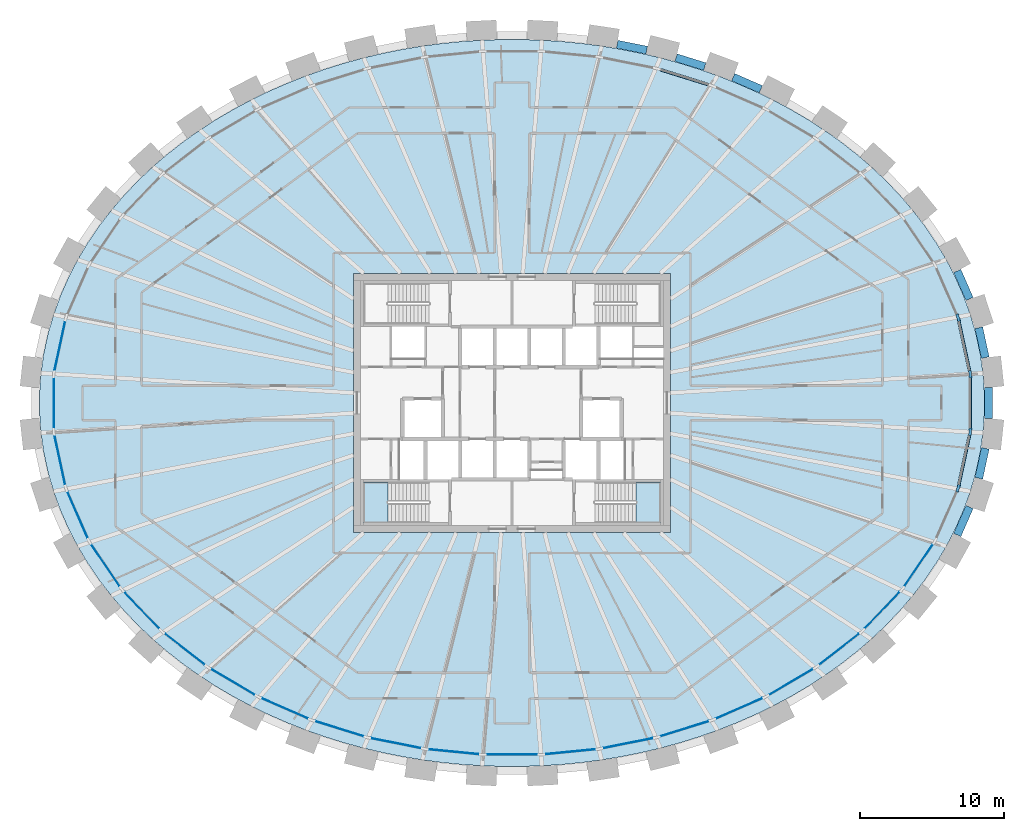
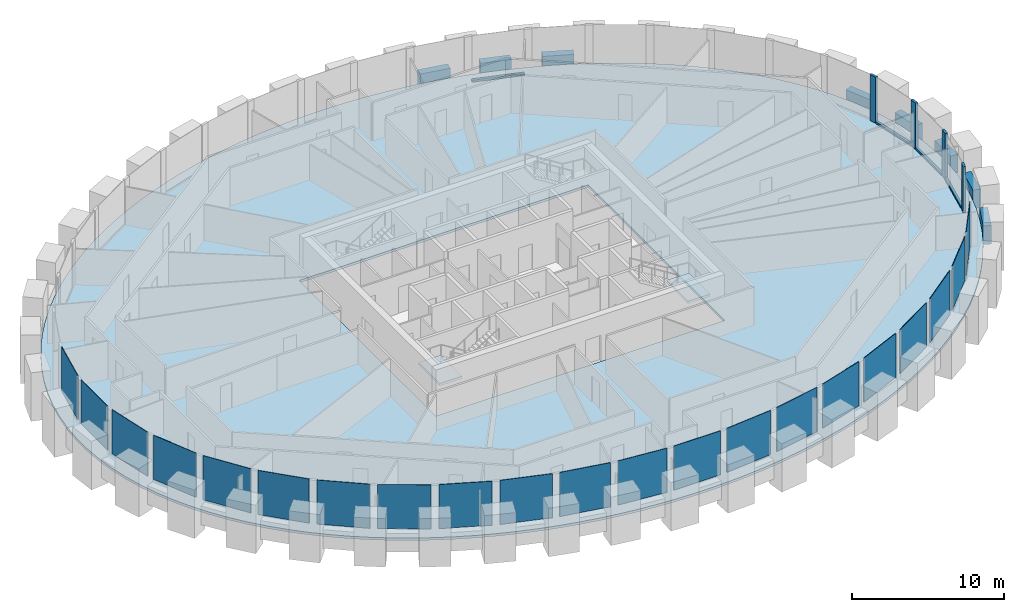
# One storey, part 4 of 12: 21 plates, 8 beams, 8 members, 3 slabs, 3 elements without a shape of their own.
"""IFC4 building model written with IfcOpenShell, lengths in metres."""

from ifc_helpers import new_model, si_unit, direction, frame, origin, origin_2d, place, context, subcontext, project, spatial, polyline, rectangle, outline, extrude, source, transform, mapped, material, layer, layer_set, material_profile, profile_set, type_object, element, aggregate, save


model = new_model("IFC4")

# Units and contexts
model_context = context("Model", 3, precision=1e-05, world=origin(), true_north=direction((0.0, 1.0)))
body_context = subcontext(model_context, "Body", "Model", "MODEL_VIEW")
ifc_project = project(units=[si_unit("LENGTHUNIT", "METRE"), si_unit("AREAUNIT", "SQUARE_METRE"), si_unit("VOLUMEUNIT", "CUBIC_METRE"), si_unit("PLANEANGLEUNIT", "RADIAN"), si_unit("MASSUNIT", "GRAM", prefix="KILO")], contexts=[model_context])

# Site, building, storey
site_placement = place(None, origin())
site = spatial("IfcSite", under=ifc_project, at=site_placement, CompositionType="ELEMENT")
building_placement = place(site_placement, origin())
building = spatial("IfcBuilding", under=site, at=building_placement, Name="Embergate Tower", CompositionType="ELEMENT")
storey_placement = place(building_placement, frame((0.0, 0.0, 253.89990234375)))
storey = spatial("IfcBuildingStorey", under=building, at=storey_placement, Name="L58", CompositionType="ELEMENT", Elevation=253.89990234375)

# Beams
ifc_material_1 = material(Name="Concrete C60", Category="concrete")
ifc_material_profile_1 = material_profile(ifc_material_1, rectangle(XDim=0.550048828125, YDim=1.5, at=origin_2d()), Name="RC 550x1500")
ifc_profile_set_1 = profile_set([ifc_material_profile_1], Name="Concrete C60")
beam_type = type_object("IfcBeamType", Name="Spandrel beam RC 550x1500 C60", PredefinedType="BEAM", material=ifc_profile_set_1)
shared_shape_1 = source(origin(), body_context, "Body", "SweptSolid", [
    extrude(rectangle(XDim=0.550048828125, YDim=1.5, at=origin_2d()), origin(), (0.0, 0.0, 1.0), 2.121337890625),
])
for number, where, z_axis, x_axis, name in (
    (1, (32.845947265625, 3.14892578125, 0.0), (-0.210259959119, 0.977645513257, 0.0), (-0.977645513257, -0.210259959119, 0.0), "SPN-L58-00"),
    (2, (32.39990234375, -5.222900390625, 0.0), (0.210259959119, 0.977645513257, 0.0), (-0.977645513257, 0.210259959119, 0.0), "SPN-L58-42"),
):
    element("IfcBeam", number, at=place(storey_placement, frame(where, z_axis=z_axis, x_axis=x_axis)), inside=storey, type_object=beam_type, Name=name, PredefinedType="BEAM", context=body_context, shape_type="MappedRepresentation", body=[
        mapped(shared_shape_1, transform((0.0, 0.0, 0.0))),
    ])
shared_shape_2 = source(origin(), body_context, "Body", "SweptSolid", [
    extrude(rectangle(XDim=0.550048828125, YDim=1.5, at=origin_2d()), origin(), (0.0, 0.0, 1.0), 2.118408203125),
])
for number, where, z_axis, x_axis, name in (
    (3, (31.75390625, 7.220947265625, 0.0), (-0.401653016285, 0.915791927519, 0.0), (-0.915791927519, -0.401653016285, 0.0), "SPN-L58-01"),
    (4, (30.903076171875, -9.160888671875, 0.0), (0.401653016285, 0.915791927519, 0.0), (-0.915791927519, 0.401653016285, 0.0), "SPN-L58-41"),
):
    element("IfcBeam", number, at=place(storey_placement, frame(where, z_axis=z_axis, x_axis=x_axis)), inside=storey, type_object=beam_type, Name=name, PredefinedType="BEAM", context=body_context, shape_type="MappedRepresentation", body=[
        mapped(shared_shape_2, transform((0.0, 0.0, 0.0))),
    ])
shared_shape_3 = source(origin(), body_context, "Body", "SweptSolid", [
    extrude(rectangle(XDim=0.550048828125, YDim=1.5, at=origin_2d()), origin(), (0.0, 0.0, 1.0), 2.093994140625),
])
beam_1_placement = place(storey_placement, frame((17.26904296875, 21.77587890625, 0.0), z_axis=(-0.916403340616, 0.400256064674, 0.0), x_axis=(-0.400256064674, -0.916403340616, 0.0)))
element("IfcBeam", 5, at=beam_1_placement, inside=storey, type_object=beam_type, Name="SPN-L58-06", PredefinedType="BEAM", context=body_context, shape_type="MappedRepresentation", body=[
    mapped(shared_shape_3, transform((0.0, 0.0, 0.0))),
])
shared_shape_4 = source(origin(), body_context, "Body", "SweptSolid", [
    extrude(rectangle(XDim=0.550048828125, YDim=1.5, at=origin_2d()), origin(), (0.0, 0.0, 1.0), 2.092529296875),
])
beam_2_placement = place(storey_placement, frame((13.383056640625, 23.347900390625, 0.0), z_axis=(-0.954794982035, 0.297265104378, 0.0), x_axis=(-0.297265104378, -0.954794982035, 0.0)))
element("IfcBeam", 6, at=beam_2_placement, inside=storey, type_object=beam_type, Name="SPN-L58-07", PredefinedType="BEAM", context=body_context, shape_type="MappedRepresentation", body=[
    mapped(shared_shape_4, transform((0.0, 0.0, 0.0))),
])
shared_shape_5 = source(origin(), body_context, "Body", "SweptSolid", [
    extrude(rectangle(XDim=0.550048828125, YDim=1.5, at=origin_2d()), origin(), (0.0, 0.0, 1.0), 2.0908203125),
])
beam_3_placement = place(storey_placement, frame((9.35009765625, 24.489990234375, 0.0), z_axis=(-0.980499753095, 0.196520314929, 0.0), x_axis=(-0.196520314929, -0.980499753095, 0.0)))
element("IfcBeam", 7, at=beam_3_placement, inside=storey, type_object=beam_type, Name="SPN-L58-08", PredefinedType="BEAM", context=body_context, shape_type="MappedRepresentation", body=[
    mapped(shared_shape_5, transform((0.0, 0.0, 0.0))),
])
shared_shape_6 = source(origin(), body_context, "Body", "SweptSolid", [
    extrude(rectangle(XDim=0.550048828125, YDim=1.5, at=origin_2d()), origin(), (0.0, 0.0, 1.0), 2.1220703125),
])
beam_4_placement = place(storey_placement, frame((33.068115234375, -1.06103515625, 0.0), z_axis=(0.0, 1.0, 0.0), x_axis=(-1.0, 0.0, 0.0)))
element("IfcBeam", 8, at=beam_4_placement, inside=storey, type_object=beam_type, Name="SPN-L58-43", PredefinedType="BEAM", context=body_context, shape_type="MappedRepresentation", body=[
    mapped(shared_shape_6, transform((0.0, 0.0, 0.0))),
])

# Curtain wall, members
ifc_material_2 = material(Name="Aluminium and glass", Category="aluminium")
curtain_wall_type = type_object("IfcCurtainWallType", Name="Recessed office glazing", PredefinedType="NOTDEFINED", material=ifc_material_2)
curtain_wall_placement = place(storey_placement, origin())
curtain_wall = element("IfcCurtainWall", 9, at=curtain_wall_placement, inside=storey, type_object=curtain_wall_type, Name="Recessed office glazing ring", ObjectType="RECESSED OFFICE GLAZING", PredefinedType="USERDEFINED")
ifc_material_3 = material(Name="Aluminium, thermally broken", Category="aluminium")
ifc_material_profile_2 = material_profile(ifc_material_3, rectangle(XDim=0.179931640625, YDim=0.52001953125, at=origin_2d()), Name="AL 520x180")
ifc_profile_set_2 = profile_set([ifc_material_profile_2], Name="Aluminium, thermally broken")
member_type_1 = type_object("IfcMemberType", Name="Office mullion", PredefinedType="MULLION", material=ifc_profile_set_2)
shared_shape_7 = source(origin(), body_context, "Body", "SweptSolid", [
    extrude(rectangle(XDim=0.179931640625, YDim=0.52001953125, at=origin_2d()), origin(), (0.0, 0.0, 1.0), 3.7001953125),
])
member_1_placement = place(storey_placement, frame((31.802490234375, 2.003173828125, 0.0), z_axis=(0.0, 0.0, 1.0), x_axis=(-0.994384400633, -0.105828463931, 0.0)))
member_1 = element("IfcMember", 10, at=member_1_placement, type_object=member_type_1, Name="CW mullion 1", PredefinedType="MULLION", context=body_context, shape_type="MappedRepresentation", body=[
    mapped(shared_shape_7, transform((0.0, 0.0, 0.0))),
])
member_2_placement = place(storey_placement, frame((30.958984375, 5.922607421875, 0.0), z_axis=(0.0, 0.0, 1.0), x_axis=(-0.9514940392, -0.307667179542, 0.0)))
member_2 = element("IfcMember", 11, at=member_2_placement, type_object=member_type_1, Name="CW mullion 2", PredefinedType="MULLION", context=body_context, shape_type="MappedRepresentation", body=[
    mapped(shared_shape_7, transform((0.0, 0.0, 0.0))),
])
member_3_placement = place(storey_placement, frame((30.958984375, -5.922607421875, 0.0), z_axis=(0.0, 0.0, 1.0), x_axis=(-0.9514940392, 0.307667179542, 0.0)))
member_3 = element("IfcMember", 12, at=member_3_placement, type_object=member_type_1, Name="CW mullion 43", PredefinedType="MULLION", context=body_context, shape_type="MappedRepresentation", body=[
    mapped(shared_shape_7, transform((0.0, 0.0, 0.0))),
])
member_4_placement = place(storey_placement, frame((31.802490234375, -2.003173828125, 0.0), z_axis=(0.0, 0.0, 1.0), x_axis=(-0.994384400633, 0.105828463931, 0.0)))
member_4 = element("IfcMember", 13, at=member_4_placement, type_object=member_type_1, Name="CW mullion 44", PredefinedType="MULLION", context=body_context, shape_type="MappedRepresentation", body=[
    mapped(shared_shape_7, transform((0.0, 0.0, 0.0))),
])
ifc_material_profile_3 = material_profile(ifc_material_3, rectangle(XDim=0.179931640625, YDim=0.14990234375, at=origin_2d()), Name="AL 150x180")
ifc_profile_set_3 = profile_set([ifc_material_profile_3], Name="Aluminium, thermally broken")
member_type_2 = type_object("IfcMemberType", Name="Office sill transom", PredefinedType="USERDEFINED", material=ifc_profile_set_3)
shared_shape_8 = source(origin(), body_context, "Body", "SweptSolid", [
    extrude(rectangle(XDim=0.179931640625, YDim=0.14990234375, at=origin_2d()), origin(), (0.0, 0.0, 1.0), 3.4892578125),
])
member_5_placement = place(storey_placement, frame((31.747802734375, 2.25732421875, 0.0751953125), z_axis=(-0.21033180344, 0.977630059103, 0.0), x_axis=(-0.977630059103, -0.21033180344, 0.0)))
member_5 = element("IfcMember", 14, at=member_5_placement, type_object=member_type_2, Name="CW transom 1.1", ObjectType="TRANSOM", PredefinedType="USERDEFINED", context=body_context, shape_type="MappedRepresentation", body=[
    mapped(shared_shape_8, transform((0.0, 0.0, 0.0))),
])
member_6_placement = place(storey_placement, frame((31.013916015625, -5.66845703125, 0.0751953125), z_axis=(0.21033180344, 0.977630059103, 0.0), x_axis=(-0.977630059103, 0.21033180344, 0.0)))
member_6 = element("IfcMember", 15, at=member_6_placement, type_object=member_type_2, Name="CW transom 43.1", ObjectType="TRANSOM", PredefinedType="USERDEFINED", context=body_context, shape_type="MappedRepresentation", body=[
    mapped(shared_shape_8, transform((0.0, 0.0, 0.0))),
])
shared_shape_9 = source(origin(), body_context, "Body", "SweptSolid", [
    extrude(rectangle(XDim=0.179931640625, YDim=0.14990234375, at=origin_2d()), origin(), (0.0, 0.0, 1.0), 3.5341796875),
])
member_7_placement = place(storey_placement, frame((13.66650390625, 22.083740234375, 0.0751953125), z_axis=(-0.954775746564, 0.297326880342, 0.0), x_axis=(-0.297326880342, -0.954775746564, 0.0)))
member_7 = element("IfcMember", 16, at=member_7_placement, type_object=member_type_2, Name="CW transom 8.1", ObjectType="TRANSOM", PredefinedType="USERDEFINED", context=body_context, shape_type="MappedRepresentation", body=[
    mapped(shared_shape_9, transform((0.0, 0.0, 0.0))),
])
shared_shape_10 = source(origin(), body_context, "Body", "SweptSolid", [
    extrude(rectangle(XDim=0.179931640625, YDim=0.14990234375, at=origin_2d()), origin(), (0.0, 0.0, 1.0), 3.486328125),
])
member_8_placement = place(storey_placement, frame((31.802490234375, -1.7431640625, 0.0751953125), z_axis=(0.0, 1.0, 0.0), x_axis=(-1.0, 0.0, 0.0)))
member_8 = element("IfcMember", 17, at=member_8_placement, type_object=member_type_2, Name="CW transom 44.1", ObjectType="TRANSOM", PredefinedType="USERDEFINED", context=body_context, shape_type="MappedRepresentation", body=[
    mapped(shared_shape_10, transform((0.0, 0.0, 0.0))),
])

# Slab
ifc_material_4 = material(Name="Concrete C40", Category="concrete")
ifc_layer_1 = layer(ifc_material_4, 0.199951171875)
ifc_layer_set_1 = layer_set([ifc_layer_1], Name="Concrete C40")
slab_type_1 = type_object("IfcSlabType", Name="Composite floor slab C40 200", PredefinedType="FLOOR", material=ifc_layer_set_1)
shared_shape_11 = source(origin(), body_context, "Body", "SweptSolid", [
    extrude(outline(polyline([(0.0, 0.0), (1.38818359375, 0.0), (2.774169921875, 0.044921875), (4.1611328125, 0.135009765625), (5.5419921875, 0.27099609375), (6.9140625, 0.4521484375), (8.2880859375, 0.678955078125), (9.648193359375, 0.9521484375), (10.9921875, 1.27001953125), (12.339111328125, 1.636962890625), (13.6640625, 2.050048828125), (14.964111328125, 2.507080078125), (16.26611328125, 3.01806640625), (17.537109375, 3.573974609375), (18.775146484375, 4.173095703125), (20.010986328125, 4.8330078125), (21.20703125, 5.5361328125), (22.360107421875, 6.281005859375), (23.505126953125, 7.093017578125), (24.59814453125, 7.947021484375), (25.63818359375, 8.839111328125), (26.658203125, 9.804931640625), (27.614990234375, 10.80908203125), (28.507080078125, 11.84814453125), (29.362060546875, 12.9619140625), (30.14208984375, 14.109130859375), (30.843994140625, 15.284912109375), (31.488037109375, 16.530029296875), (32.044189453125, 17.800048828125), (32.51318359375, 19.090087890625), (32.900146484375, 20.430908203125), (33.191162109375, 21.7861328125), (33.38720703125, 23.151123046875), (33.486083984375, 24.534912109375), (33.486083984375, 25.921142578125), (33.38720703125, 27.304931640625), (33.191162109375, 28.669921875), (32.900146484375, 30.025146484375), (32.51318359375, 31.365966796875), (32.044189453125, 32.656005859375), (31.488037109375, 33.926025390625), (30.843994140625, 35.171142578125), (30.14208984375, 36.346923828125), (29.362060546875, 37.494140625), (28.507080078125, 38.60791015625), (27.614990234375, 39.64697265625), (26.658203125, 40.651123046875), (25.63818359375, 41.616943359375), (24.59814453125, 42.509033203125), (23.505126953125, 43.363037109375), (22.360107421875, 44.175048828125), (21.20703125, 44.919921875), (20.010986328125, 45.623046875), (18.775146484375, 46.282958984375), (17.537109375, 46.882080078125), (16.26611328125, 47.43798828125), (14.964111328125, 47.948974609375), (13.6640625, 48.406005859375), (12.339111328125, 48.819091796875), (10.9921875, 49.18603515625), (9.648193359375, 49.50390625), (8.2880859375, 49.777099609375), (6.9140625, 50.00390625), (5.5419921875, 50.18505859375), (4.1611328125, 50.321044921875), (2.774169921875, 50.4111328125), (1.38818359375, 50.4560546875), (0.0, 50.4560546875), (-1.385986328125, 50.4111328125), (-2.77294921875, 50.321044921875), (-4.15380859375, 50.18505859375), (-5.52587890625, 50.00390625), (-6.89990234375, 49.777099609375), (-8.260009765625, 49.50390625), (-9.60400390625, 49.18603515625), (-10.950927734375, 48.819091796875), (-12.27587890625, 48.406005859375), (-13.575927734375, 47.948974609375), (-14.8779296875, 47.43798828125), (-16.14892578125, 46.882080078125), (-17.386962890625, 46.282958984375), (-18.622802734375, 45.623046875), (-19.81884765625, 44.919921875), (-20.971923828125, 44.175048828125), (-22.116943359375, 43.363037109375), (-23.2099609375, 42.509033203125), (-24.25, 41.616943359375), (-25.27001953125, 40.651123046875), (-26.226806640625, 39.64697265625), (-27.118896484375, 38.60791015625), (-27.973876953125, 37.494140625), (-28.75390625, 36.346923828125), (-29.455810546875, 35.171142578125), (-30.099853515625, 33.926025390625), (-30.656005859375, 32.656005859375), (-31.125, 31.365966796875), (-31.511962890625, 30.025146484375), (-31.802978515625, 28.669921875), (-31.9990234375, 27.304931640625), (-32.097900390625, 25.921142578125), (-32.097900390625, 24.534912109375), (-31.9990234375, 23.151123046875), (-31.802978515625, 21.7861328125), (-31.511962890625, 20.430908203125), (-31.125, 19.090087890625), (-30.656005859375, 17.800048828125), (-30.099853515625, 16.530029296875), (-29.455810546875, 15.284912109375), (-28.75390625, 14.109130859375), (-27.973876953125, 12.9619140625), (-27.118896484375, 11.84814453125), (-26.226806640625, 10.80908203125), (-25.27001953125, 9.804931640625), (-24.25, 8.839111328125), (-23.2099609375, 7.947021484375), (-22.116943359375, 7.093017578125), (-20.971923828125, 6.281005859375), (-19.81884765625, 5.5361328125), (-18.622802734375, 4.8330078125), (-17.386962890625, 4.173095703125), (-16.14892578125, 3.573974609375), (-14.8779296875, 3.01806640625), (-13.575927734375, 2.507080078125), (-12.27587890625, 2.050048828125), (-10.950927734375, 1.636962890625), (-9.60400390625, 1.27001953125), (-8.260009765625, 0.9521484375), (-6.89990234375, 0.678955078125), (-5.52587890625, 0.4521484375), (-4.15380859375, 0.27099609375), (-2.77294921875, 0.135009765625), (-1.385986328125, 0.044921875), (0.0, 0.0)]), holes=[polyline([(-10.305908203125, 16.22802734375), (-10.305908203125, 34.22802734375), (11.694091796875, 34.22802734375), (11.694091796875, 16.22802734375), (-10.305908203125, 16.22802734375)])]), origin(), (0.0, 0.0, 1.0), 0.199951171875),
])
slab_1_placement = place(storey_placement, frame((-0.694091796875, -25.22802734375, -0.199951171875)))
element("IfcSlab", 18, at=slab_1_placement, inside=storey, type_object=slab_type_1, Name="SLB-L58-00", PredefinedType="FLOOR", context=body_context, shape_type="MappedRepresentation", body=[
    mapped(shared_shape_11, transform((0.0, 0.0, 0.0))),
])

# Plate
ifc_material_5 = material(Name="Triple glazing, low-emissivity coating", Category="glass")
ifc_layer_2 = layer(ifc_material_5, 0.035888671875)
ifc_layer_set_2 = layer_set([ifc_layer_2], Name="Triple glazing, low-emissivity coating")
plate_type = type_object("IfcPlateType", Name="Office glazing unit", PredefinedType="CURTAIN_PANEL", material=ifc_layer_set_2)
shared_shape_12 = source(origin(), body_context, "Body", "SweptSolid", [
    extrude(rectangle(XDim=3.489013671875, YDim=0.035888671875, at=origin_2d()), origin(), (0.0, 0.0, 1.0), 3.550048828125),
])
plate_1_placement = place(storey_placement, frame((-31.380859375, 3.962890625, 0.14990234375), z_axis=(0.0, 0.0, 1.0), x_axis=(-0.210401803698, -0.977614996305, 0.0)))
plate_1 = element("IfcPlate", 19, at=plate_1_placement, type_object=plate_type, Name="CW panel 21.1", PredefinedType="CURTAIN_PANEL", context=body_context, shape_type="MappedRepresentation", body=[
    mapped(shared_shape_12, transform((0.0, 0.0, 0.0))),
])

plate_2_placement = place(storey_placement, frame((-31.380859375, -3.962890625, 0.14990234375), z_axis=(0.0, 0.0, 1.0), x_axis=(0.210401803698, -0.977614996305, 0.0)))
plate_2 = element("IfcPlate", 20, at=plate_2_placement, type_object=plate_type, Name="CW panel 23.1", PredefinedType="CURTAIN_PANEL", context=body_context, shape_type="MappedRepresentation", body=[
    mapped(shared_shape_12, transform((0.0, 0.0, 0.0))),
])

shared_shape_13 = source(origin(), body_context, "Body", "SweptSolid", [
    extrude(rectangle(XDim=3.495849609375, YDim=0.035888671875, at=origin_2d()), origin(), (0.0, 0.0, 1.0), 3.550048828125),
])
plate_3_placement = place(storey_placement, frame((-30.152587890625, -7.761474609375, 0.14990234375), z_axis=(0.0, 0.0, 1.0), x_axis=(0.401656896229, -0.915790225822, 0.0)))
plate_3 = element("IfcPlate", 21, at=plate_3_placement, type_object=plate_type, Name="CW panel 24.1", PredefinedType="CURTAIN_PANEL", context=body_context, shape_type="MappedRepresentation", body=[
    mapped(shared_shape_13, transform((0.0, 0.0, 0.0))),
])

shared_shape_14 = source(origin(), body_context, "Body", "SweptSolid", [
    extrude(rectangle(XDim=3.504638671875, YDim=0.035888671875, at=origin_2d()), origin(), (0.0, 0.0, 1.0), 3.550048828125),
])
plate_4_placement = place(storey_placement, frame((-28.214599609375, -11.264404296875, 0.14990234375), z_axis=(0.0, 0.0, 1.0), x_axis=(0.562346071572, -0.826901986809, 0.0)))
plate_4 = element("IfcPlate", 22, at=plate_4_placement, type_object=plate_type, Name="CW panel 25.1", PredefinedType="CURTAIN_PANEL", context=body_context, shape_type="MappedRepresentation", body=[
    mapped(shared_shape_14, transform((0.0, 0.0, 0.0))),
])

plate_5_placement = place(storey_placement, frame((28.214599609375, -11.264404296875, 0.14990234375), z_axis=(0.0, 0.0, 1.0), x_axis=(0.562346071572, 0.826901986809, 0.0)))
plate_5 = element("IfcPlate", 23, at=plate_5_placement, type_object=plate_type, Name="CW panel 41.1", PredefinedType="CURTAIN_PANEL", context=body_context, shape_type="MappedRepresentation", body=[
    mapped(shared_shape_14, transform((0.0, 0.0, 0.0))),
])

shared_shape_15 = source(origin(), body_context, "Body", "SweptSolid", [
    extrude(rectangle(XDim=3.51318359375, YDim=0.035888671875, at=origin_2d()), origin(), (0.0, 0.0, 1.0), 3.550048828125),
])
plate_6_placement = place(storey_placement, frame((-25.691162109375, -14.3876953125, 0.14990234375), z_axis=(0.0, 0.0, 1.0), x_axis=(0.690137573644, -0.723678194673, 0.0)))
plate_6 = element("IfcPlate", 24, at=plate_6_placement, type_object=plate_type, Name="CW panel 26.1", PredefinedType="CURTAIN_PANEL", context=body_context, shape_type="MappedRepresentation", body=[
    mapped(shared_shape_15, transform((0.0, 0.0, 0.0))),
])

plate_7_placement = place(storey_placement, frame((25.691162109375, -14.3876953125, 0.14990234375), z_axis=(0.0, 0.0, 1.0), x_axis=(0.690137573644, 0.723678194673, 0.0)))
plate_7 = element("IfcPlate", 25, at=plate_7_placement, type_object=plate_type, Name="CW panel 40.1", PredefinedType="CURTAIN_PANEL", context=body_context, shape_type="MappedRepresentation", body=[
    mapped(shared_shape_15, transform((0.0, 0.0, 0.0))),
])

shared_shape_16 = source(origin(), body_context, "Body", "SweptSolid", [
    extrude(rectangle(XDim=3.5205078125, YDim=0.035888671875, at=origin_2d()), origin(), (0.0, 0.0, 1.0), 3.550048828125),
])
plate_8_placement = place(storey_placement, frame((-22.706787109375, -17.08984375, 0.14990234375), z_axis=(0.0, 0.0, 1.0), x_axis=(0.788322266931, -0.615262548398, 0.0)))
plate_8 = element("IfcPlate", 26, at=plate_8_placement, type_object=plate_type, Name="CW panel 27.1", PredefinedType="CURTAIN_PANEL", context=body_context, shape_type="MappedRepresentation", body=[
    mapped(shared_shape_16, transform((0.0, 0.0, 0.0))),
])

plate_9_placement = place(storey_placement, frame((22.706787109375, -17.08984375, 0.14990234375), z_axis=(0.0, 0.0, 1.0), x_axis=(0.788322266931, 0.615262548398, 0.0)))
plate_9 = element("IfcPlate", 27, at=plate_9_placement, type_object=plate_type, Name="CW panel 39.1", PredefinedType="CURTAIN_PANEL", context=body_context, shape_type="MappedRepresentation", body=[
    mapped(shared_shape_16, transform((0.0, 0.0, 0.0))),
])

shared_shape_17 = source(origin(), body_context, "Body", "SweptSolid", [
    extrude(rectangle(XDim=3.5263671875, YDim=0.035888671875, at=origin_2d()), origin(), (0.0, 0.0, 1.0), 3.550048828125),
])
plate_10_placement = place(storey_placement, frame((-19.370361328125, -19.358154296875, 0.14990234375), z_axis=(0.0, 0.0, 1.0), x_axis=(0.862054936934, -0.506814843614, 0.0)))
plate_10 = element("IfcPlate", 28, at=plate_10_placement, type_object=plate_type, Name="CW panel 28.1", PredefinedType="CURTAIN_PANEL", context=body_context, shape_type="MappedRepresentation", body=[
    mapped(shared_shape_17, transform((0.0, 0.0, 0.0))),
])

plate_11_placement = place(storey_placement, frame((19.370361328125, -19.358154296875, 0.14990234375), z_axis=(0.0, 0.0, 1.0), x_axis=(0.862054936934, 0.506814843614, 0.0)))
plate_11 = element("IfcPlate", 29, at=plate_11_placement, type_object=plate_type, Name="CW panel 38.1", PredefinedType="CURTAIN_PANEL", context=body_context, shape_type="MappedRepresentation", body=[
    mapped(shared_shape_17, transform((0.0, 0.0, 0.0))),
])

shared_shape_18 = source(origin(), body_context, "Body", "SweptSolid", [
    extrude(rectangle(XDim=3.53076171875, YDim=0.035888671875, at=origin_2d()), origin(), (0.0, 0.0, 1.0), 3.550048828125),
])
plate_12_placement = place(storey_placement, frame((-15.7705078125, -21.195068359375, 0.14990234375), z_axis=(0.0, 0.0, 1.0), x_axis=(0.916236910986, -0.400636896638, 0.0)))
plate_12 = element("IfcPlate", 30, at=plate_12_placement, type_object=plate_type, Name="CW panel 29.1", PredefinedType="CURTAIN_PANEL", context=body_context, shape_type="MappedRepresentation", body=[
    mapped(shared_shape_18, transform((0.0, 0.0, 0.0))),
])

plate_13_placement = place(storey_placement, frame((15.7705078125, -21.195068359375, 0.14990234375), z_axis=(0.0, 0.0, 1.0), x_axis=(0.916236910986, 0.400636896638, 0.0)))
plate_13 = element("IfcPlate", 31, at=plate_13_placement, type_object=plate_type, Name="CW panel 37.1", PredefinedType="CURTAIN_PANEL", context=body_context, shape_type="MappedRepresentation", body=[
    mapped(shared_shape_18, transform((0.0, 0.0, 0.0))),
])

shared_shape_19 = source(origin(), body_context, "Body", "SweptSolid", [
    extrude(rectangle(XDim=3.533935546875, YDim=0.035888671875, at=origin_2d()), origin(), (0.0, 0.0, 1.0), 3.550048828125),
])
plate_14_placement = place(storey_placement, frame((-11.9794921875, -22.609130859375, 0.14990234375), z_axis=(0.0, 0.0, 1.0), x_axis=(0.954772736126, -0.297336547283, 0.0)))
plate_14 = element("IfcPlate", 32, at=plate_14_placement, type_object=plate_type, Name="CW panel 30.1", PredefinedType="CURTAIN_PANEL", context=body_context, shape_type="MappedRepresentation", body=[
    mapped(shared_shape_19, transform((0.0, 0.0, 0.0))),
])

plate_15_placement = place(storey_placement, frame((11.9794921875, -22.609130859375, 0.14990234375), z_axis=(0.0, 0.0, 1.0), x_axis=(0.954772736126, 0.297336547283, 0.0)))
plate_15 = element("IfcPlate", 33, at=plate_15_placement, type_object=plate_type, Name="CW panel 36.1", PredefinedType="CURTAIN_PANEL", context=body_context, shape_type="MappedRepresentation", body=[
    mapped(shared_shape_19, transform((0.0, 0.0, 0.0))),
])

shared_shape_20 = source(origin(), body_context, "Body", "SweptSolid", [
    extrude(rectangle(XDim=3.5361328125, YDim=0.035888671875, at=origin_2d()), origin(), (0.0, 0.0, 1.0), 3.550048828125),
])
plate_16_placement = place(storey_placement, frame((-8.055419921875, -23.610595703125, 0.14990234375), z_axis=(0.0, 0.0, 1.0), x_axis=(0.980475907409, -0.196639250889, 0.0)))
plate_16 = element("IfcPlate", 34, at=plate_16_placement, type_object=plate_type, Name="CW panel 31.1", PredefinedType="CURTAIN_PANEL", context=body_context, shape_type="MappedRepresentation", body=[
    mapped(shared_shape_20, transform((0.0, 0.0, 0.0))),
])

plate_17_placement = place(storey_placement, frame((8.055419921875, -23.610595703125, 0.14990234375), z_axis=(0.0, 0.0, 1.0), x_axis=(0.980475907409, 0.196639250889, 0.0)))
plate_17 = element("IfcPlate", 35, at=plate_17_placement, type_object=plate_type, Name="CW panel 35.1", PredefinedType="CURTAIN_PANEL", context=body_context, shape_type="MappedRepresentation", body=[
    mapped(shared_shape_20, transform((0.0, 0.0, 0.0))),
])

shared_shape_21 = source(origin(), body_context, "Body", "SweptSolid", [
    extrude(rectangle(XDim=3.53759765625, YDim=0.035888671875, at=origin_2d()), origin(), (0.0, 0.0, 1.0), 3.550048828125),
])
plate_18_placement = place(storey_placement, frame((-4.048095703125, -24.2080078125, 0.14990234375), z_axis=(0.0, 0.0, 1.0), x_axis=(0.995203184788, -0.097829550688, 0.0)))
plate_18 = element("IfcPlate", 36, at=plate_18_placement, type_object=plate_type, Name="CW panel 32.1", PredefinedType="CURTAIN_PANEL", context=body_context, shape_type="MappedRepresentation", body=[
    mapped(shared_shape_21, transform((0.0, 0.0, 0.0))),
])

plate_19_placement = place(storey_placement, frame((4.048095703125, -24.2080078125, 0.14990234375), z_axis=(0.0, 0.0, 1.0), x_axis=(0.995203184788, 0.097829550688, 0.0)))
plate_19 = element("IfcPlate", 37, at=plate_19_placement, type_object=plate_type, Name="CW panel 34.1", PredefinedType="CURTAIN_PANEL", context=body_context, shape_type="MappedRepresentation", body=[
    mapped(shared_shape_21, transform((0.0, 0.0, 0.0))),
])

shared_shape_22 = source(origin(), body_context, "Body", "SweptSolid", [
    extrude(rectangle(XDim=3.537841796875, YDim=0.035888671875, at=origin_2d()), origin(), (0.0, 0.0, 1.0), 3.550048828125),
])
plate_20_placement = place(storey_placement, frame((0.0, -24.406494140625, 0.14990234375), z_axis=(0.0, 0.0, 1.0), x_axis=(1.0, 0.0, 0.0)))
plate_20 = element("IfcPlate", 38, at=plate_20_placement, type_object=plate_type, Name="CW panel 33.1", PredefinedType="CURTAIN_PANEL", context=body_context, shape_type="MappedRepresentation", body=[
    mapped(shared_shape_22, transform((0.0, 0.0, 0.0))),
])

shared_shape_23 = source(origin(), body_context, "Body", "SweptSolid", [
    extrude(rectangle(XDim=3.486572265625, YDim=0.035888671875, at=origin_2d()), origin(), (0.0, 0.0, 1.0), 3.550048828125),
])
plate_21_placement = place(storey_placement, frame((-31.802490234375, 0.0, 0.14990234375), z_axis=(0.0, 0.0, 1.0), x_axis=(0.0, -1.0, 0.0)))
plate_21 = element("IfcPlate", 39, at=plate_21_placement, type_object=plate_type, Name="CW panel 22.1", PredefinedType="CURTAIN_PANEL", context=body_context, shape_type="MappedRepresentation", body=[
    mapped(shared_shape_23, transform((0.0, 0.0, 0.0))),
])

aggregate(curtain_wall, [member_1, member_2, member_3, member_4, member_5, member_7, plate_1, plate_21, plate_2, plate_3, plate_4, plate_6, plate_8, plate_10, plate_12, plate_14, plate_16, plate_18, plate_20, plate_19, plate_17, plate_15, plate_13, plate_11, plate_9, plate_7, plate_5, member_6, member_8])

# Stair, slab
ifc_material_6 = material(Name="Exit stair")
stair_type = type_object("IfcStairType", Name="Exit stair", PredefinedType="HALF_TURN_STAIR", material=ifc_material_6)
stair_1_placement = place(storey_placement, origin())
stair_1 = element("IfcStair", 40, at=stair_1_placement, inside=storey, type_object=stair_type, Name="L58 Exit stair 3", PredefinedType="HALF_TURN_STAIR")
ifc_layer_3 = layer(ifc_material_4, 0.199951171875)
ifc_layer_set_3 = layer_set([ifc_layer_3], Name="Concrete C40")
slab_type_2 = type_object("IfcSlabType", Name="Stair landing reinforced concrete", PredefinedType="LANDING", material=ifc_layer_set_3)
shared_shape_24 = source(origin(), body_context, "Body", "SweptSolid", [
    extrude(outline(polyline([(0.0, 0.0), (1.68994140625, 0.0), (1.68994140625, 2.800048828125), (0.0, 2.800048828125), (0.0, 0.0)])), origin(), (0.0, 0.0, 1.0), 0.2001953125),
])
slab_2_placement = place(storey_placement, frame((-10.300048828125, -8.300048828125, 1.75)))
slab_2 = element("IfcSlab", 41, at=slab_2_placement, type_object=slab_type_2, Name="ST3 landing 1", PredefinedType="LANDING", context=body_context, shape_type="MappedRepresentation", body=[
    mapped(shared_shape_24, transform((0.0, 0.0, 0.0))),
])
aggregate(stair_1, [slab_2])

stair_2_placement = place(storey_placement, origin())
stair_2 = element("IfcStair", 42, at=stair_2_placement, inside=storey, type_object=stair_type, Name="L58 Exit stair 4", PredefinedType="HALF_TURN_STAIR")
slab_3_placement = place(storey_placement, frame((8.610107421875, -8.300048828125, 1.75)))
slab_3 = element("IfcSlab", 43, at=slab_3_placement, type_object=slab_type_2, Name="ST4 landing 1", PredefinedType="LANDING", context=body_context, shape_type="MappedRepresentation", body=[
    mapped(shared_shape_24, transform((0.0, 0.0, 0.0))),
])
aggregate(stair_2, [slab_3])

save(model, "model.ifc")
